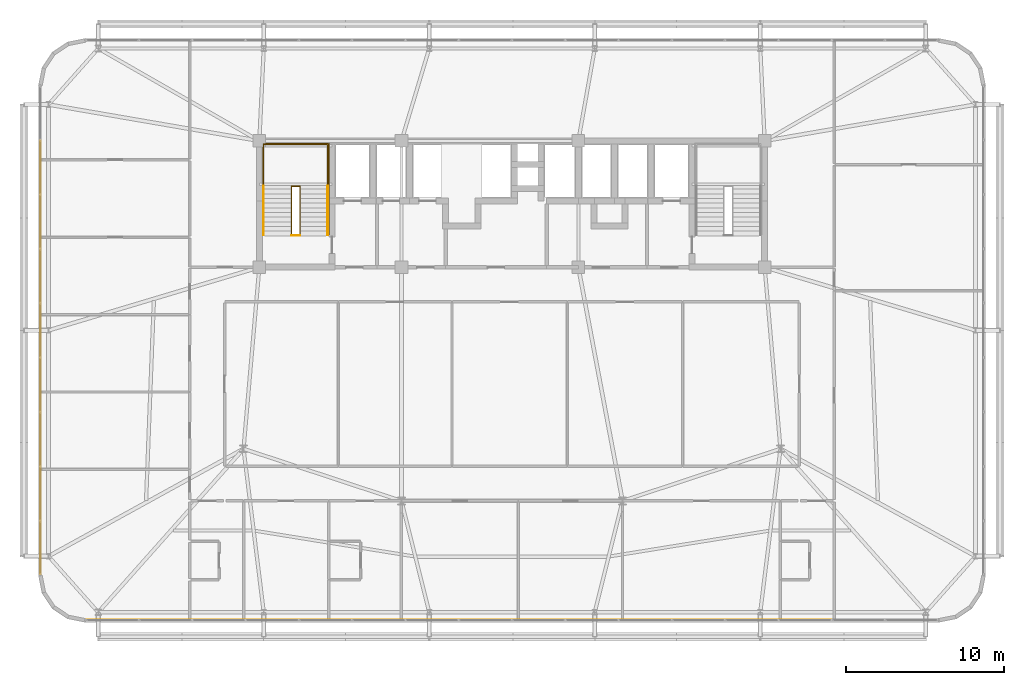
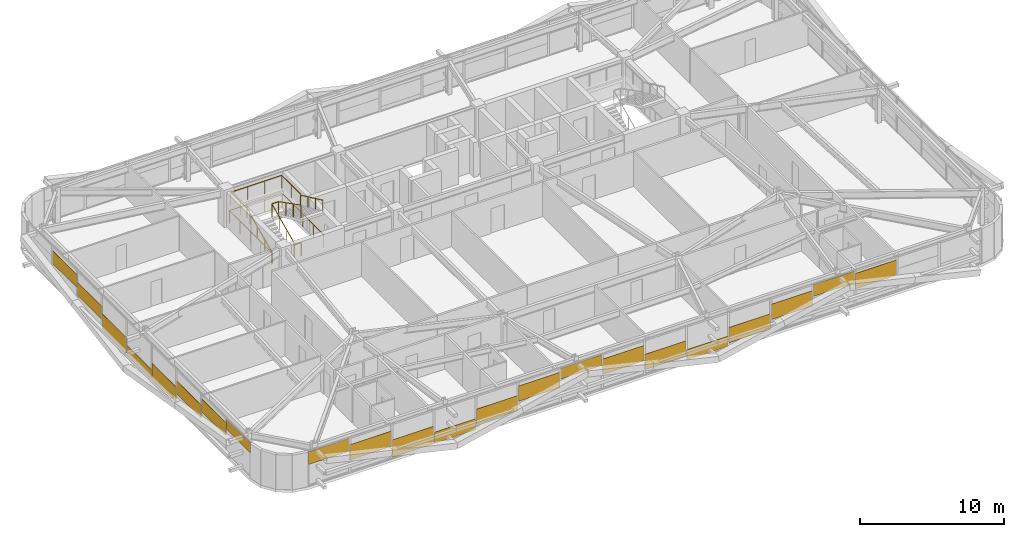
# One storey, part 56 of 58: 22 coverings, 6 railings.
"""IFC4 building model written with IfcOpenShell, lengths in metres."""

from ifc_helpers import new_model, si_unit, direction, frame, origin, origin_2d, place, context, subcontext, project, spatial, rectangle, extrude, source, transform, mapped, material, layer, layer_set, type_object, element, save


model = new_model("IFC4")

# Units and contexts
model_context = context("Model", 3, precision=1e-05, world=origin(), true_north=direction((0.0, 1.0)))
body_context = subcontext(model_context, "Body", "Model", "MODEL_VIEW")
ifc_project = project(units=[si_unit("LENGTHUNIT", "METRE"), si_unit("AREAUNIT", "SQUARE_METRE"), si_unit("VOLUMEUNIT", "CUBIC_METRE"), si_unit("PLANEANGLEUNIT", "RADIAN"), si_unit("MASSUNIT", "GRAM", prefix="KILO")], contexts=[model_context])

# Site, building, storey
site_placement = place(None, origin())
site = spatial("IfcSite", under=ifc_project, at=site_placement, CompositionType="ELEMENT")
building_placement = place(site_placement, origin())
building = spatial("IfcBuilding", under=site, at=building_placement, Name="Taldren Reach Tower", CompositionType="ELEMENT")
storey_placement = place(building_placement, frame((0.0, 0.0, 32.550048828125)))
storey = spatial("IfcBuildingStorey", under=building, at=storey_placement, Name="L09", CompositionType="ELEMENT", Elevation=32.550048828125)

# Railings
ifc_material_1 = material(Name="Steel Gr 350 (C350L0)", Category="steel")
ifc_layer_1 = layer(ifc_material_1, 0.050048828125)
ifc_layer_set_1 = layer_set([ifc_layer_1], Name="Steel Gr 350 (C350L0)")
railing_type_1 = type_object("IfcRailingType", Name="RL-STAIR-GR", PredefinedType="GUARDRAIL", material=ifc_layer_set_1)
railing_1_placement = place(storey_placement, frame((19.260009765625, 29.135009765625, 1.574951171875)))
element("IfcRailing", 1, at=railing_1_placement, inside=storey, type_object=railing_type_1, Name="Stair half-landing perimeter guard ST1-L09", PredefinedType="GUARDRAIL", context=body_context, shape_type="SweptSolid", body=[
    extrude(rectangle(XDim=0.047852, YDim=0.047852, at=origin_2d()), frame((0.0, 0.0, 1.09619140625), z_axis=(0.0, 1.0, 0.0), x_axis=(-1.0, 0.0, 0.0)), (0.0, 0.0, 1.0), 2.64501953125),
    extrude(rectangle(XDim=0.047852, YDim=0.047852, at=origin_2d()), frame((0.0, 2.64501953125, 1.09619140625), z_axis=(1.0, 0.0, 0.0), x_axis=(0.0, 1.0, 0.0)), (0.0, 0.0, 1.0), 4.080078125),
    extrude(rectangle(XDim=0.047852, YDim=0.047852, at=origin_2d()), frame((4.080078125, 2.64501953125, 1.09619140625), z_axis=(0.0, -1.0, 0.0), x_axis=(1.0, 0.0, 0.0)), (0.0, 0.0, 1.0), 2.64501953125),
    extrude(rectangle(XDim=0.041992, YDim=0.041992, at=origin_2d()), origin(), (0.0, 0.0, 1.0), 1.072021484375),
    extrude(rectangle(XDim=0.041992, YDim=0.041992, at=origin_2d()), frame((0.0, 1.322509765625, 0.0)), (0.0, 0.0, 1.0), 1.072021484375),
    extrude(rectangle(XDim=0.041992, YDim=0.041992, at=origin_2d()), frame((0.0, 2.64501953125, 0.0)), (0.0, 0.0, 1.0), 1.072021484375),
    extrude(rectangle(XDim=0.041992, YDim=0.041992, at=origin_2d()), frame((1.360107421875, 2.64501953125, 0.0)), (0.0, 0.0, 1.0), 1.072021484375),
    extrude(rectangle(XDim=0.041992, YDim=0.041992, at=origin_2d()), frame((2.719970703125, 2.64501953125, 0.0)), (0.0, 0.0, 1.0), 1.072021484375),
    extrude(rectangle(XDim=0.041992, YDim=0.041992, at=origin_2d()), frame((4.080078125, 2.64501953125, 0.0)), (0.0, 0.0, 1.0), 1.072021484375),
    extrude(rectangle(XDim=0.041992, YDim=0.041992, at=origin_2d()), frame((4.080078125, 1.322509765625, 0.0)), (0.0, 0.0, 1.0), 1.072021484375),
    extrude(rectangle(XDim=0.041992, YDim=0.041992, at=origin_2d()), frame((4.080078125, 0.0, 0.0)), (0.0, 0.0, 1.0), 1.072021484375),
])
railing_2_placement = place(storey_placement, frame((21.030029296875, 26.050048828125, 0.131103515625)))
element("IfcRailing", 2, at=railing_2_placement, inside=storey, type_object=railing_type_1, Name="Stairwell inner guard ST1-L09", PredefinedType="GUARDRAIL", context=body_context, shape_type="SweptSolid", body=[
    extrude(rectangle(XDim=0.047852, YDim=0.047852, at=origin_2d()), frame((0.0, 0.0, 1.09619140625), z_axis=(0.0, 0.905710134349, 0.423897573167), x_axis=(-1.0, 0.0, 0.0)), (0.0, 0.0, 1.0), 3.406005859375),
    extrude(rectangle(XDim=0.047852, YDim=0.047852, at=origin_2d()), frame((0.0, 3.0849609375, 2.5400390625), z_axis=(1.0, 0.0, 0.0), x_axis=(0.0, 1.0, 0.0)), (0.0, 0.0, 1.0), 0.5400390625),
    extrude(rectangle(XDim=0.047852, YDim=0.047852, at=origin_2d()), frame((0.5400390625, 3.0849609375, 2.5400390625), z_axis=(0.0, -0.890645957773, 0.45469745755), x_axis=(1.0, 0.0, 0.0)), (0.0, 0.0, 1.0), 3.463623046875),
    extrude(rectangle(XDim=0.041992, YDim=0.041992, at=origin_2d()), origin(), (0.0, 0.0, 1.0), 1.072021484375),
    extrude(rectangle(XDim=0.041992, YDim=0.041992, at=origin_2d()), frame((0.0, 1.0283203125, 0.481201171875)), (0.0, 0.0, 1.0), 1.072021484375),
    extrude(rectangle(XDim=0.041992, YDim=0.041992, at=origin_2d()), frame((0.0, 2.056640625, 0.962646484375)), (0.0, 0.0, 1.0), 1.072021484375),
    extrude(rectangle(XDim=0.041992, YDim=0.041992, at=origin_2d()), frame((0.0, 3.0849609375, 1.44384765625)), (0.0, 0.0, 1.0), 1.072021484375),
    extrude(rectangle(XDim=0.041992, YDim=0.041992, at=origin_2d()), frame((0.5400390625, 3.0849609375, 1.44384765625)), (0.0, 0.0, 1.0), 1.072021484375),
    extrude(rectangle(XDim=0.041992, YDim=0.041992, at=origin_2d()), frame((0.5400390625, 2.056640625, 1.96875)), (0.0, 0.0, 1.0), 1.072021484375),
    extrude(rectangle(XDim=0.041992, YDim=0.041992, at=origin_2d()), frame((0.5400390625, 1.0283203125, 2.493896484375)), (0.0, 0.0, 1.0), 1.072021484375),
    extrude(rectangle(XDim=0.041992, YDim=0.041992, at=origin_2d()), frame((0.5400390625, 0.0, 3.018798828125)), (0.0, 0.0, 1.0), 1.072021484375),
])
railing_3_placement = place(storey_placement, frame((21.030029296875, 26.010009765625, 0.0)))
element("IfcRailing", 3, at=railing_3_placement, inside=storey, type_object=railing_type_1, Name="Stairwell landing slot guard ST1-L09", PredefinedType="GUARDRAIL", context=body_context, shape_type="SweptSolid", body=[
    extrude(rectangle(XDim=0.047852, YDim=0.047852, at=origin_2d()), frame((0.0, 0.0, 1.09619140625), z_axis=(1.0, 0.0, 0.0), x_axis=(0.0, 1.0, 0.0)), (0.0, 0.0, 1.0), 0.5400390625),
    extrude(rectangle(XDim=0.041992, YDim=0.041992, at=origin_2d()), origin(), (0.0, 0.0, 1.0), 1.072021484375),
    extrude(rectangle(XDim=0.041992, YDim=0.041992, at=origin_2d()), frame((0.5400390625, 0.0, 0.0)), (0.0, 0.0, 1.0), 1.072021484375),
])
railing_4_placement = place(storey_placement, frame((19.18994140625, 26.050048828125, 0.0)))
element("IfcRailing", 4, at=railing_4_placement, inside=storey, type_object=railing_type_1, Name="Stairwell floor opening guard ST1-L09", PredefinedType="GUARDRAIL", context=body_context, shape_type="SweptSolid", body=[
    extrude(rectangle(XDim=0.047852, YDim=0.047852, at=origin_2d()), frame((0.0, 0.0, 1.09619140625), z_axis=(0.0, 1.0, 0.0), x_axis=(-1.0, 0.0, 0.0)), (0.0, 0.0, 1.0), 5.800048828125),
    extrude(rectangle(XDim=0.047852, YDim=0.047852, at=origin_2d()), frame((0.0, 5.800048828125, 1.09619140625), z_axis=(1.0, 0.0, 0.0), x_axis=(0.0, 1.0, 0.0)), (0.0, 0.0, 1.0), 4.219970703125),
    extrude(rectangle(XDim=0.047852, YDim=0.047852, at=origin_2d()), frame((4.219970703125, 5.800048828125, 1.09619140625), z_axis=(0.0, -1.0, 0.0), x_axis=(1.0, 0.0, 0.0)), (0.0, 0.0, 1.0), 5.800048828125),
    extrude(rectangle(XDim=0.041992, YDim=0.041992, at=origin_2d()), origin(), (0.0, 0.0, 1.0), 1.072021484375),
    extrude(rectangle(XDim=0.041992, YDim=0.041992, at=origin_2d()), frame((0.0, 1.449951171875, 0.0)), (0.0, 0.0, 1.0), 1.072021484375),
    extrude(rectangle(XDim=0.041992, YDim=0.041992, at=origin_2d()), frame((0.0, 2.89990234375, 0.0)), (0.0, 0.0, 1.0), 1.072021484375),
    extrude(rectangle(XDim=0.041992, YDim=0.041992, at=origin_2d()), frame((0.0, 4.35009765625, 0.0)), (0.0, 0.0, 1.0), 1.072021484375),
    extrude(rectangle(XDim=0.041992, YDim=0.041992, at=origin_2d()), frame((0.0, 5.800048828125, 0.0)), (0.0, 0.0, 1.0), 1.072021484375),
    extrude(rectangle(XDim=0.041992, YDim=0.041992, at=origin_2d()), frame((1.40673828125, 5.800048828125, 0.0)), (0.0, 0.0, 1.0), 1.072021484375),
    extrude(rectangle(XDim=0.041992, YDim=0.041992, at=origin_2d()), frame((2.813232421875, 5.800048828125, 0.0)), (0.0, 0.0, 1.0), 1.072021484375),
    extrude(rectangle(XDim=0.041992, YDim=0.041992, at=origin_2d()), frame((4.219970703125, 5.800048828125, 0.0)), (0.0, 0.0, 1.0), 1.072021484375),
    extrude(rectangle(XDim=0.041992, YDim=0.041992, at=origin_2d()), frame((4.219970703125, 4.35009765625, 0.0)), (0.0, 0.0, 1.0), 1.072021484375),
    extrude(rectangle(XDim=0.041992, YDim=0.041992, at=origin_2d()), frame((4.219970703125, 2.89990234375, 0.0)), (0.0, 0.0, 1.0), 1.072021484375),
    extrude(rectangle(XDim=0.041992, YDim=0.041992, at=origin_2d()), frame((4.219970703125, 1.449951171875, 0.0)), (0.0, 0.0, 1.0), 1.072021484375),
    extrude(rectangle(XDim=0.041992, YDim=0.041992, at=origin_2d()), frame((4.219970703125, 0.0, 0.0)), (0.0, 0.0, 1.0), 1.072021484375),
])
ifc_material_2 = material(Name="Stainless Steel Gr 316", Category="steel")
ifc_layer_2 = layer(ifc_material_2, 0.048095703125)
ifc_layer_set_2 = layer_set([ifc_layer_2], Name="Stainless Steel Gr 316")
railing_type_2 = type_object("IfcRailingType", Name="RL-STAIR-HR", PredefinedType="HANDRAIL", material=ifc_layer_set_2)
railing_5_placement = place(storey_placement, frame((19.27001953125, 26.050048828125, 0.131103515625)))
element("IfcRailing", 5, at=railing_5_placement, inside=storey, type_object=railing_type_2, Name="Stair flight handrail ST1-L09-1", PredefinedType="HANDRAIL", context=body_context, shape_type="SweptSolid", body=[
    extrude(rectangle(XDim=0.047852, YDim=0.047852, at=origin_2d()), frame((0.0, 0.0, 0.89599609375), z_axis=(0.0, 0.905710134349, 0.423897573167), x_axis=(-1.0, 0.0, 0.0)), (0.0, 0.0, 1.0), 3.406005859375),
    extrude(rectangle(XDim=0.041992, YDim=0.041992, at=origin_2d()), origin(), (0.0, 0.0, 1.0), 0.871826171875),
    extrude(rectangle(XDim=0.041992, YDim=0.041992, at=origin_2d()), frame((0.0, 1.0283203125, 0.481201171875)), (0.0, 0.0, 1.0), 0.871826171875),
    extrude(rectangle(XDim=0.041992, YDim=0.041992, at=origin_2d()), frame((0.0, 2.056640625, 0.962646484375)), (0.0, 0.0, 1.0), 0.871826171875),
    extrude(rectangle(XDim=0.041992, YDim=0.041992, at=origin_2d()), frame((0.0, 3.0849609375, 1.44384765625)), (0.0, 0.0, 1.0), 0.871826171875),
])
railing_6_placement = place(storey_placement, frame((23.330078125, 29.135009765625, 1.706298828125)))
element("IfcRailing", 6, at=railing_6_placement, inside=storey, type_object=railing_type_2, Name="Stair flight handrail ST1-L09-2", PredefinedType="HANDRAIL", context=body_context, shape_type="SweptSolid", body=[
    extrude(rectangle(XDim=0.047852, YDim=0.047852, at=origin_2d()), frame((0.0, 0.0, 0.89599609375), z_axis=(0.0, -0.905737652094, 0.423838773095), x_axis=(1.0, 0.0, 0.0)), (0.0, 0.0, 1.0), 3.406005859375),
    extrude(rectangle(XDim=0.041992, YDim=0.041992, at=origin_2d()), origin(), (0.0, 0.0, 1.0), 0.871826171875),
    extrude(rectangle(XDim=0.041992, YDim=0.041992, at=origin_2d()), frame((0.0, -1.0283203125, 0.481201171875)), (0.0, 0.0, 1.0), 0.871826171875),
    extrude(rectangle(XDim=0.041992, YDim=0.041992, at=origin_2d()), frame((0.0, -2.056640625, 0.96240234375)), (0.0, 0.0, 1.0), 0.871826171875),
    extrude(rectangle(XDim=0.041992, YDim=0.041992, at=origin_2d()), frame((0.0, -3.0849609375, 1.443603515625)), (0.0, 0.0, 1.0), 0.871826171875),
])

# Coverings
ifc_material_3 = material(Name="Pale Champagne Fluoropolymer Aluminium Spandrel Cladding", Category="aluminium")
ifc_layer_3 = layer(ifc_material_3, 0.0439453125)
ifc_layer_set_3 = layer_set([ifc_layer_3], Name="Pale Champagne Fluoropolymer Aluminium Spandrel Cladding")
covering_type = type_object("IfcCoveringType", Name="CV-CLAD-044", PredefinedType="CLADDING", material=ifc_layer_set_3)
shared_shape_1 = source(origin(), body_context, "Body", "SweptSolid", [
    extrude(rectangle(XDim=3.277587890625, YDim=0.0439453125, at=origin_2d()), origin(), (0.0, 0.0, 1.0), 1.081298828125),
])
covering_1_placement = place(storey_placement, frame((9.703857421875, 1.639892578125, 1.79345703125), z_axis=(0.0, 0.0, 1.0), x_axis=(1.0, 0.0, 0.0)))
element("IfcCovering", 7, at=covering_1_placement, inside=storey, type_object=covering_type, Name="Diagrid closure cladding strip CW-2 panel 1.1 1", PredefinedType="CLADDING", context=body_context, shape_type="MappedRepresentation", body=[
    mapped(shared_shape_1, transform((0.0, 0.0, 0.0), scale=1.0)),
])
shared_shape_2 = source(origin(), body_context, "Body", "SweptSolid", [
    extrude(rectangle(XDim=3.31005859375, YDim=0.0439453125, at=origin_2d()), origin(), (0.0, 0.0, 1.0), 1.301025390625),
])
for number, where, z_axis, x_axis, name in (
    (8, (13.0625, 1.639892578125, 1.01123046875), (0.0, 0.0, 1.0), (1.0, 0.0, 0.0), "Diagrid closure cladding strip CW-2 panel 2.1 1"),
    (9, (23.1875, 1.639892578125, 0.4755859375), (0.0, 0.0, 1.0), (1.0, 0.0, 0.0), "Diagrid closure cladding strip CW-2 panel 5.1 1"),
    (10, (26.5625, 1.639892578125, 1.2578125), (0.0, 0.0, 1.0), (1.0, 0.0, 0.0), "Diagrid closure cladding strip CW-2 panel 6.1 1"),
    (11, (33.3125, 1.639892578125, 1.17578125), (0.0, 0.0, 1.0), (1.0, 0.0, 0.0), "Diagrid closure cladding strip CW-2 panel 8.1 1"),
    (12, (36.6875, 1.639892578125, 0.39306640625), (0.0, 0.0, 1.0), (1.0, 0.0, 0.0), "Diagrid closure cladding strip CW-2 panel 9.1 1"),
    (13, (43.4375, 1.639892578125, 0.31103515625), (0.0, 0.0, 1.0), (1.0, 0.0, 0.0), "Diagrid closure cladding strip CW-2 panel 11.1 1"),
    (14, (46.8125, 1.639892578125, 1.09326171875), (0.0, 0.0, 1.0), (1.0, 0.0, 0.0), "Diagrid closure cladding strip CW-2 panel 12.1 1"),
    (15, (53.5625, 1.639892578125, 1.34033203125), (0.0, 0.0, 1.0), (1.0, 0.0, 0.0), "Diagrid closure cladding strip CW-2 panel 14.1 1"),
):
    element("IfcCovering", number, at=place(storey_placement, frame(where, z_axis=z_axis, x_axis=x_axis)), inside=storey, type_object=covering_type, Name=name, PredefinedType="CLADDING", context=body_context, shape_type="MappedRepresentation", body=[
        mapped(shared_shape_2, transform((0.0, 0.0, 0.0), scale=1.0)),
    ])
shared_shape_3 = source(origin(), body_context, "Body", "SweptSolid", [
    extrude(rectangle(XDim=3.31005859375, YDim=0.0439453125, at=origin_2d()), origin(), (0.0, 0.0, 1.0), 1.474609375),
])
covering_2_placement = place(storey_placement, frame((16.4375, 1.639892578125, 0.054931640625), z_axis=(0.0, 0.0, 1.0), x_axis=(1.0, 0.0, 0.0)))
element("IfcCovering", 16, at=covering_2_placement, inside=storey, type_object=covering_type, Name="Diagrid closure cladding strip CW-2 panel 3.1 1", PredefinedType="CLADDING", context=body_context, shape_type="MappedRepresentation", body=[
    mapped(shared_shape_3, transform((0.0, 0.0, 0.0), scale=1.0)),
])
shared_shape_4 = source(origin(), body_context, "Body", "SweptSolid", [
    extrude(rectangle(XDim=3.31005859375, YDim=0.0439453125, at=origin_2d()), origin(), (0.0, 0.0, 1.0), 0.93896484375),
])
covering_3_placement = place(storey_placement, frame((19.8125, 1.639892578125, 0.054931640625), z_axis=(0.0, 0.0, 1.0), x_axis=(1.0, 0.0, 0.0)))
element("IfcCovering", 17, at=covering_3_placement, inside=storey, type_object=covering_type, Name="Diagrid closure cladding strip CW-2 panel 4.1 1", PredefinedType="CLADDING", context=body_context, shape_type="MappedRepresentation", body=[
    mapped(shared_shape_4, transform((0.0, 0.0, 0.0), scale=1.0)),
])
shared_shape_5 = source(origin(), body_context, "Body", "SweptSolid", [
    extrude(rectangle(XDim=3.31005859375, YDim=0.0439453125, at=origin_2d()), origin(), (0.0, 0.0, 1.0), 0.916748046875),
])
covering_4_placement = place(storey_placement, frame((29.9375, 1.639892578125, 1.9580078125), z_axis=(0.0, 0.0, 1.0), x_axis=(1.0, 0.0, 0.0)))
element("IfcCovering", 18, at=covering_4_placement, inside=storey, type_object=covering_type, Name="Diagrid closure cladding strip CW-2 panel 7.1 1", PredefinedType="CLADDING", context=body_context, shape_type="MappedRepresentation", body=[
    mapped(shared_shape_5, transform((0.0, 0.0, 0.0), scale=1.0)),
])
shared_shape_6 = source(origin(), body_context, "Body", "SweptSolid", [
    extrude(rectangle(XDim=3.31005859375, YDim=0.0439453125, at=origin_2d()), origin(), (0.0, 0.0, 1.0), 0.856689453125),
])
covering_5_placement = place(storey_placement, frame((40.0625, 1.639892578125, 0.05517578125), z_axis=(0.0, 0.0, 1.0), x_axis=(1.0, 0.0, 0.0)))
element("IfcCovering", 19, at=covering_5_placement, inside=storey, type_object=covering_type, Name="Diagrid closure cladding strip CW-2 panel 10.1 1", PredefinedType="CLADDING", context=body_context, shape_type="MappedRepresentation", body=[
    mapped(shared_shape_6, transform((0.0, 0.0, 0.0), scale=1.0)),
])
shared_shape_7 = source(origin(), body_context, "Body", "SweptSolid", [
    extrude(rectangle(XDim=3.31005859375, YDim=0.0439453125, at=origin_2d()), origin(), (0.0, 0.0, 1.0), 0.9990234375),
])
covering_6_placement = place(storey_placement, frame((50.1875, 1.639892578125, 1.8759765625), z_axis=(0.0, 0.0, 1.0), x_axis=(1.0, 0.0, 0.0)))
element("IfcCovering", 20, at=covering_6_placement, inside=storey, type_object=covering_type, Name="Diagrid closure cladding strip CW-2 panel 13.1 1", PredefinedType="CLADDING", context=body_context, shape_type="MappedRepresentation", body=[
    mapped(shared_shape_7, transform((0.0, 0.0, 0.0), scale=1.0)),
])
shared_shape_8 = source(origin(), body_context, "Body", "SweptSolid", [
    extrude(rectangle(XDim=3.346923828125, YDim=0.0439453125, at=origin_2d()), origin(), (0.0, 0.0, 1.0), 0.864501953125),
])
covering_7_placement = place(storey_placement, frame((5.139892578125, 6.238525390625, 2.01025390625), z_axis=(0.0, 0.0, 1.0), x_axis=(0.0, -1.0, 0.0)))
element("IfcCovering", 21, at=covering_7_placement, inside=storey, type_object=covering_type, Name="Diagrid closure cladding strip CW-2 panel 9.1 1", PredefinedType="CLADDING", context=body_context, shape_type="MappedRepresentation", body=[
    mapped(shared_shape_8, transform((0.0, 0.0, 0.0), scale=1.0)),
])
shared_shape_9 = source(origin(), body_context, "Body", "SweptSolid", [
    extrude(rectangle(XDim=3.37939453125, YDim=0.0439453125, at=origin_2d()), origin(), (0.0, 0.0, 1.0), 1.1015625),
])
for number, where, z_axis, x_axis, name in (
    (22, (5.139892578125, 30.333251953125, 1.425048828125), (0.0, 0.0, 1.0), (0.0, -1.0, 0.0), "Diagrid closure cladding strip CW-2 panel 2.1 1"),
    (23, (5.139892578125, 26.888916015625, 0.83984375), (0.0, 0.0, 1.0), (0.0, -1.0, 0.0), "Diagrid closure cladding strip CW-2 panel 3.1 1"),
    (24, (5.139892578125, 13.111083984375, 0.83984375), (0.0, 0.0, 1.0), (0.0, -1.0, 0.0), "Diagrid closure cladding strip CW-2 panel 7.1 1"),
    (25, (5.139892578125, 9.666748046875, 1.425048828125), (0.0, 0.0, 1.0), (0.0, -1.0, 0.0), "Diagrid closure cladding strip CW-2 panel 8.1 1"),
):
    element("IfcCovering", number, at=place(storey_placement, frame(where, z_axis=z_axis, x_axis=x_axis)), inside=storey, type_object=covering_type, Name=name, PredefinedType="CLADDING", context=body_context, shape_type="MappedRepresentation", body=[
        mapped(shared_shape_9, transform((0.0, 0.0, 0.0), scale=1.0)),
    ])
shared_shape_10 = source(origin(), body_context, "Body", "SweptSolid", [
    extrude(rectangle(XDim=3.37939453125, YDim=0.0439453125, at=origin_2d()), origin(), (0.0, 0.0, 1.0), 1.301025390625),
])
for number, where, z_axis, x_axis, name in (
    (26, (5.139892578125, 23.4443359375, 0.05517578125), (0.0, 0.0, 1.0), (0.0, -1.0, 0.0), "Diagrid closure cladding strip CW-2 panel 4.1 1"),
    (27, (5.139892578125, 16.5556640625, 0.05517578125), (0.0, 0.0, 1.0), (0.0, -1.0, 0.0), "Diagrid closure cladding strip CW-2 panel 6.1 1"),
):
    element("IfcCovering", number, at=place(storey_placement, frame(where, z_axis=z_axis, x_axis=x_axis)), inside=storey, type_object=covering_type, Name=name, PredefinedType="CLADDING", context=body_context, shape_type="MappedRepresentation", body=[
        mapped(shared_shape_10, transform((0.0, 0.0, 0.0), scale=1.0)),
    ])
shared_shape_11 = source(origin(), body_context, "Body", "SweptSolid", [
    extrude(rectangle(XDim=3.37939453125, YDim=0.0439453125, at=origin_2d()), origin(), (0.0, 0.0, 1.0), 0.7158203125),
])
covering_8_placement = place(storey_placement, frame((5.139892578125, 20.0, 0.054931640625), z_axis=(0.0, 0.0, 1.0), x_axis=(0.0, -1.0, 0.0)))
element("IfcCovering", 28, at=covering_8_placement, inside=storey, type_object=covering_type, Name="Diagrid closure cladding strip CW-2 panel 5.1 1", PredefinedType="CLADDING", context=body_context, shape_type="MappedRepresentation", body=[
    mapped(shared_shape_11, transform((0.0, 0.0, 0.0), scale=1.0)),
])

save(model, "model.ifc")
